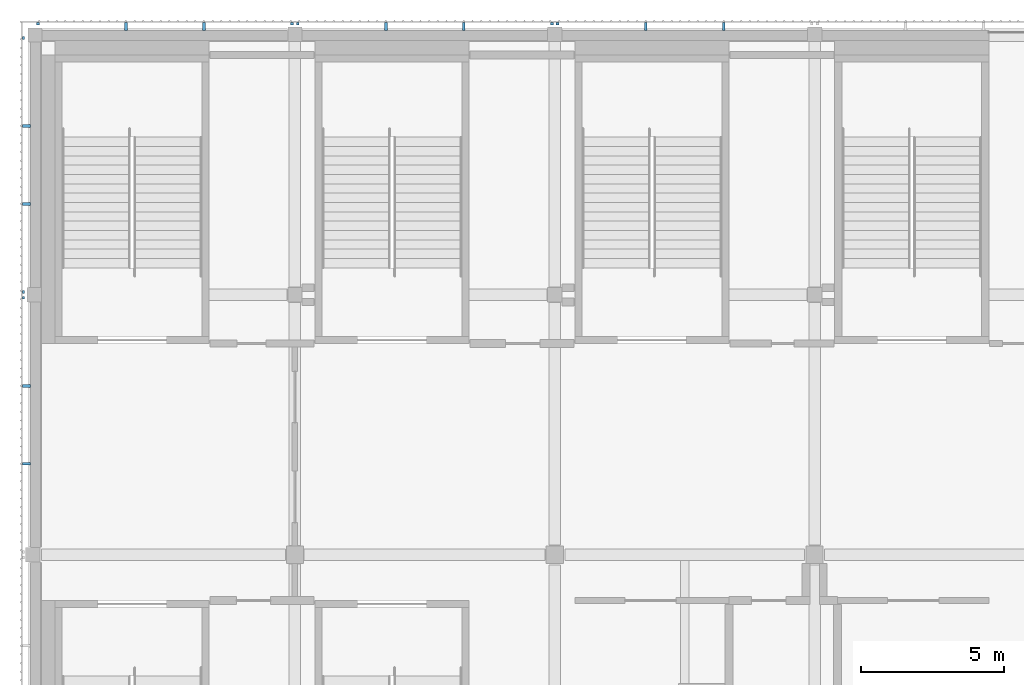
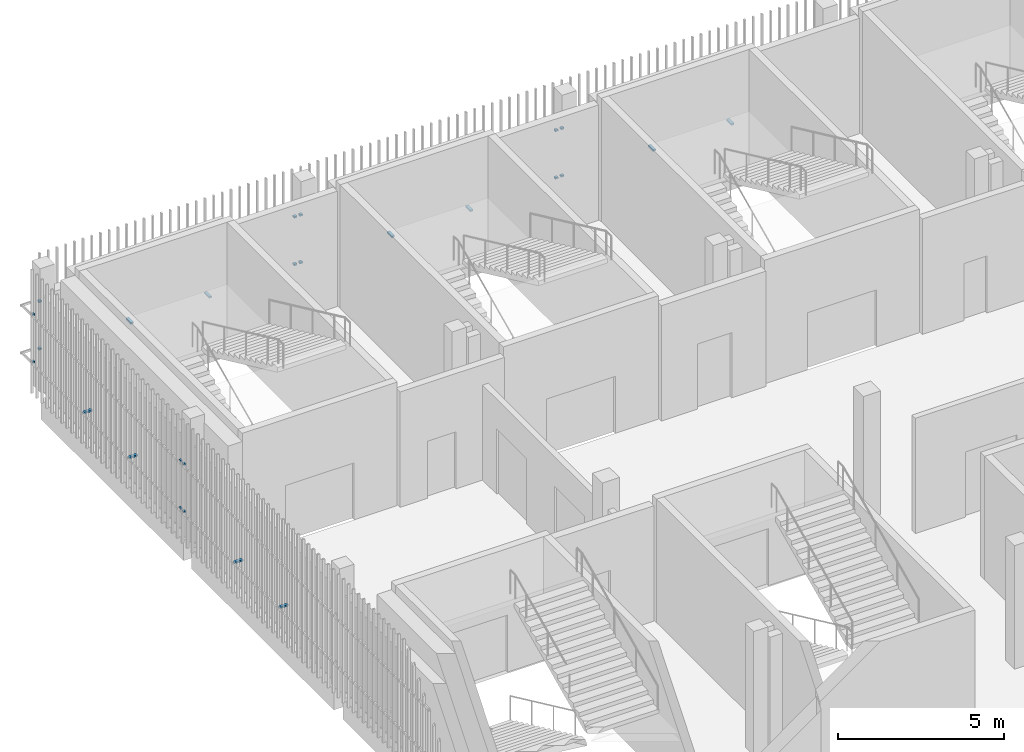
# One storey, part 95 of 124: 26 discrete accessories.
"""IFC4 building model written with IfcOpenShell, lengths in metres."""

from ifc_helpers import new_model, si_unit, direction, frame, origin, origin_2d, place, context, subcontext, project, spatial, rectangle, extrude, material, type_object, element, save


model = new_model("IFC4")

# Units and contexts
model_context = context("Model", 3, precision=1e-05, world=origin(), true_north=direction((0.0, 1.0)))
body_context = subcontext(model_context, "Body", "Model", "MODEL_VIEW")
ifc_project = project(units=[si_unit("LENGTHUNIT", "METRE"), si_unit("AREAUNIT", "SQUARE_METRE"), si_unit("VOLUMEUNIT", "CUBIC_METRE"), si_unit("PLANEANGLEUNIT", "RADIAN"), si_unit("MASSUNIT", "GRAM", prefix="KILO")], contexts=[model_context])

# Site, building, storey
site_placement = place(None, origin())
site = spatial("IfcSite", under=ifc_project, at=site_placement, CompositionType="ELEMENT")
building_placement = place(site_placement, origin())
building = spatial("IfcBuilding", under=site, at=building_placement, Name="Shirokan Park Arena", CompositionType="ELEMENT")
storey_placement = place(building_placement, frame((0.0, 0.0, 20.02001953125)))
storey = spatial("IfcBuildingStorey", under=building, at=storey_placement, Name="L04", CompositionType="ELEMENT", Elevation=20.02001953125)

# Discrete accessories
ifc_material = material(Name="Steel S355", Category="steel")
discrete_accessory_type = type_object("IfcDiscreteAccessoryType", Name="Veil bracket 100x60", PredefinedType="BRACKET", material=ifc_material)
for number, where, z_axis, x_axis, name in (
    (1, (18.300048828125, 109.597412109375, 1.070068359375), (0.0, 0.0, 1.0), (-1.0, 0.0, 0.0), "Veil bracket north bay 14 L04 2"),
    (2, (18.300048828125, 109.597412109375, 2.820068359375), (0.0, 0.0, 1.0), (-1.0, 0.0, 0.0), "Veil bracket north bay 14 L04 4"),
):
    element("IfcDiscreteAccessory", number, at=place(storey_placement, frame(where, z_axis=z_axis, x_axis=x_axis)), inside=storey, type_object=discrete_accessory_type, Name=name, PredefinedType="BRACKET", context=body_context, shape_type="SweptSolid", body=[
        extrude(rectangle(XDim=0.10009765625, YDim=0.094970703125, at=origin_2d()), origin(), (0.0, 0.0, 1.0), 0.06005859375),
    ])
for number, where, z_axis, x_axis, name in (
    (3, (24.114990234375, 109.49755859375, 1.070068359375), (0.0, 0.0, 1.0), (-1.0, 0.0, 0.0), "Veil bracket north bay 14 L04 wall 1"),
    (4, (21.385009765625, 109.49755859375, 1.070068359375), (0.0, 0.0, 1.0), (-1.0, 0.0, 0.0), "Veil bracket north bay 14 L04 wall 2"),
):
    element("IfcDiscreteAccessory", number, at=place(storey_placement, frame(where, z_axis=z_axis, x_axis=x_axis)), inside=storey, type_object=discrete_accessory_type, Name=name, PredefinedType="BRACKET", context=body_context, shape_type="SweptSolid", body=[
        extrude(rectangle(XDim=0.10009765625, YDim=0.294921875, at=origin_2d()), origin(), (0.0, 0.0, 1.0), 0.06005859375),
    ])
for number, where, z_axis, x_axis, name in (
    (5, (18.10009765625, 109.597412109375, 1.070068359375), (0.0, 0.0, 1.0), (-1.0, 0.0, 0.0), "Veil bracket north bay 15 L04 1"),
    (6, (9.199951171875, 109.597412109375, 1.070068359375), (0.0, 0.0, 1.0), (-1.0, 0.0, 0.0), "Veil bracket north bay 15 L04 2"),
    (7, (18.10009765625, 109.597412109375, 2.820068359375), (0.0, 0.0, 1.0), (-1.0, 0.0, 0.0), "Veil bracket north bay 15 L04 3"),
    (8, (9.199951171875, 109.597412109375, 2.820068359375), (0.0, 0.0, 1.0), (-1.0, 0.0, 0.0), "Veil bracket north bay 15 L04 4"),
):
    element("IfcDiscreteAccessory", number, at=place(storey_placement, frame(where, z_axis=z_axis, x_axis=x_axis)), inside=storey, type_object=discrete_accessory_type, Name=name, PredefinedType="BRACKET", context=body_context, shape_type="SweptSolid", body=[
        extrude(rectangle(XDim=0.10009765625, YDim=0.094970703125, at=origin_2d()), origin(), (0.0, 0.0, 1.0), 0.06005859375),
    ])
for number, where, z_axis, x_axis, name in (
    (9, (15.014892578125, 109.49755859375, 1.070068359375), (0.0, 0.0, 1.0), (-1.0, 0.0, 0.0), "Veil bracket north bay 15 L04 wall 1"),
    (10, (12.284912109375, 109.49755859375, 1.070068359375), (0.0, 0.0, 1.0), (-1.0, 0.0, 0.0), "Veil bracket north bay 15 L04 wall 2"),
):
    element("IfcDiscreteAccessory", number, at=place(storey_placement, frame(where, z_axis=z_axis, x_axis=x_axis)), inside=storey, type_object=discrete_accessory_type, Name=name, PredefinedType="BRACKET", context=body_context, shape_type="SweptSolid", body=[
        extrude(rectangle(XDim=0.10009765625, YDim=0.294921875, at=origin_2d()), origin(), (0.0, 0.0, 1.0), 0.06005859375),
    ])
for number, where, z_axis, x_axis, name in (
    (11, (9.0, 109.597412109375, 1.070068359375), (0.0, 0.0, 1.0), (-1.0, 0.0, 0.0), "Veil bracket north bay 16 L04 1"),
    (12, (0.10009765625, 109.597412109375, 1.070068359375), (0.0, 0.0, 1.0), (-1.0, 0.0, 0.0), "Veil bracket north bay 16 L04 2"),
    (13, (9.0, 109.597412109375, 2.820068359375), (0.0, 0.0, 1.0), (-1.0, 0.0, 0.0), "Veil bracket north bay 16 L04 3"),
    (14, (0.10009765625, 109.597412109375, 2.820068359375), (0.0, 0.0, 1.0), (-1.0, 0.0, 0.0), "Veil bracket north bay 16 L04 4"),
):
    element("IfcDiscreteAccessory", number, at=place(storey_placement, frame(where, z_axis=z_axis, x_axis=x_axis)), inside=storey, type_object=discrete_accessory_type, Name=name, PredefinedType="BRACKET", context=body_context, shape_type="SweptSolid", body=[
        extrude(rectangle(XDim=0.10009765625, YDim=0.094970703125, at=origin_2d()), origin(), (0.0, 0.0, 1.0), 0.06005859375),
    ])
for number, where, z_axis, x_axis, name in (
    (15, (5.9150390625, 109.49755859375, 1.070068359375), (0.0, 0.0, 1.0), (-1.0, 0.0, 0.0), "Veil bracket north bay 16 L04 wall 1"),
    (16, (3.18505859375, 109.49755859375, 1.070068359375), (0.0, 0.0, 1.0), (-1.0, 0.0, 0.0), "Veil bracket north bay 16 L04 wall 2"),
):
    element("IfcDiscreteAccessory", number, at=place(storey_placement, frame(where, z_axis=z_axis, x_axis=x_axis)), inside=storey, type_object=discrete_accessory_type, Name=name, PredefinedType="BRACKET", context=body_context, shape_type="SweptSolid", body=[
        extrude(rectangle(XDim=0.10009765625, YDim=0.294921875, at=origin_2d()), origin(), (0.0, 0.0, 1.0), 0.06005859375),
    ])
for number, where, z_axis, x_axis, name in (
    (17, (-0.409912109375, 109.10009765625, 1.070068359375), (0.0, 0.0, 1.0), (0.0, -1.0, 0.0), "Veil bracket west bay 1 L04 1"),
    (18, (-0.409912109375, 100.199951171875, 1.070068359375), (0.0, 0.0, 1.0), (0.0, -1.0, 0.0), "Veil bracket west bay 1 L04 2"),
    (19, (-0.409912109375, 109.10009765625, 2.820068359375), (0.0, 0.0, 1.0), (0.0, -1.0, 0.0), "Veil bracket west bay 1 L04 3"),
    (20, (-0.409912109375, 100.199951171875, 2.820068359375), (0.0, 0.0, 1.0), (0.0, -1.0, 0.0), "Veil bracket west bay 1 L04 4"),
):
    element("IfcDiscreteAccessory", number, at=place(storey_placement, frame(where, z_axis=z_axis, x_axis=x_axis)), inside=storey, type_object=discrete_accessory_type, Name=name, PredefinedType="BRACKET", context=body_context, shape_type="SweptSolid", body=[
        extrude(rectangle(XDim=0.10009765625, YDim=0.070068359375, at=origin_2d()), origin(), (0.0, 0.0, 1.0), 0.06005859375),
    ])
for number, where, z_axis, x_axis, name in (
    (21, (-0.297607421875, 106.014892578125, 1.070068359375), (0.0, 0.0, 1.0), (0.0, -1.0, 0.0), "Veil bracket west bay 1 L04 wall 1"),
    (22, (-0.297607421875, 103.284912109375, 1.070068359375), (0.0, 0.0, 1.0), (0.0, -1.0, 0.0), "Veil bracket west bay 1 L04 wall 2"),
):
    element("IfcDiscreteAccessory", number, at=place(storey_placement, frame(where, z_axis=z_axis, x_axis=x_axis)), inside=storey, type_object=discrete_accessory_type, Name=name, PredefinedType="BRACKET", context=body_context, shape_type="SweptSolid", body=[
        extrude(rectangle(XDim=0.10009765625, YDim=0.294921875, at=origin_2d()), origin(), (0.0, 0.0, 1.0), 0.06005859375),
    ])
for number, where, z_axis, x_axis, name in (
    (23, (-0.409912109375, 100.0, 1.070068359375), (0.0, 0.0, 1.0), (0.0, -1.0, 0.0), "Veil bracket west bay 2 L04 1"),
    (24, (-0.409912109375, 100.0, 2.820068359375), (0.0, 0.0, 1.0), (0.0, -1.0, 0.0), "Veil bracket west bay 2 L04 3"),
):
    element("IfcDiscreteAccessory", number, at=place(storey_placement, frame(where, z_axis=z_axis, x_axis=x_axis)), inside=storey, type_object=discrete_accessory_type, Name=name, PredefinedType="BRACKET", context=body_context, shape_type="SweptSolid", body=[
        extrude(rectangle(XDim=0.10009765625, YDim=0.070068359375, at=origin_2d()), origin(), (0.0, 0.0, 1.0), 0.06005859375),
    ])
for number, where, z_axis, x_axis, name in (
    (25, (-0.297607421875, 96.9150390625, 1.070068359375), (0.0, 0.0, 1.0), (0.0, -1.0, 0.0), "Veil bracket west bay 2 L04 wall 1"),
    (26, (-0.297607421875, 94.18505859375, 1.070068359375), (0.0, 0.0, 1.0), (0.0, -1.0, 0.0), "Veil bracket west bay 2 L04 wall 2"),
):
    element("IfcDiscreteAccessory", number, at=place(storey_placement, frame(where, z_axis=z_axis, x_axis=x_axis)), inside=storey, type_object=discrete_accessory_type, Name=name, PredefinedType="BRACKET", context=body_context, shape_type="SweptSolid", body=[
        extrude(rectangle(XDim=0.10009765625, YDim=0.294921875, at=origin_2d()), origin(), (0.0, 0.0, 1.0), 0.06005859375),
    ])

save(model, "model.ifc")
